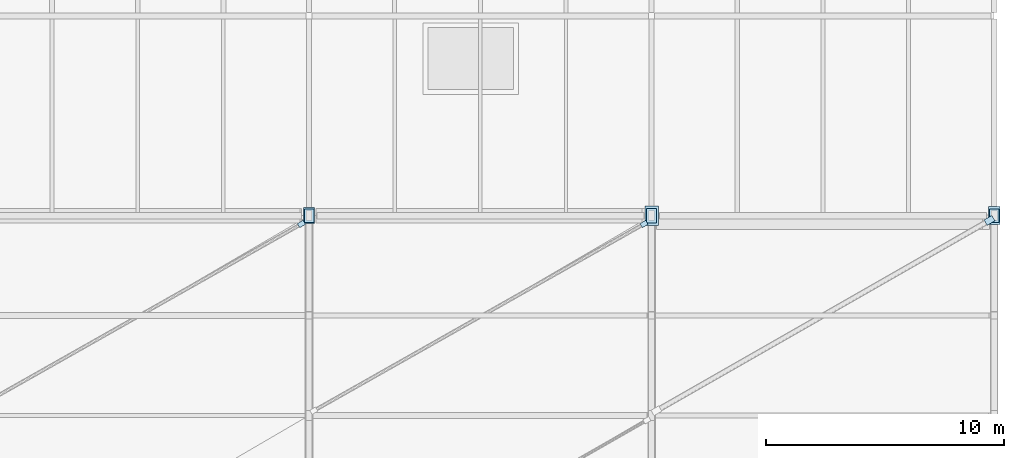
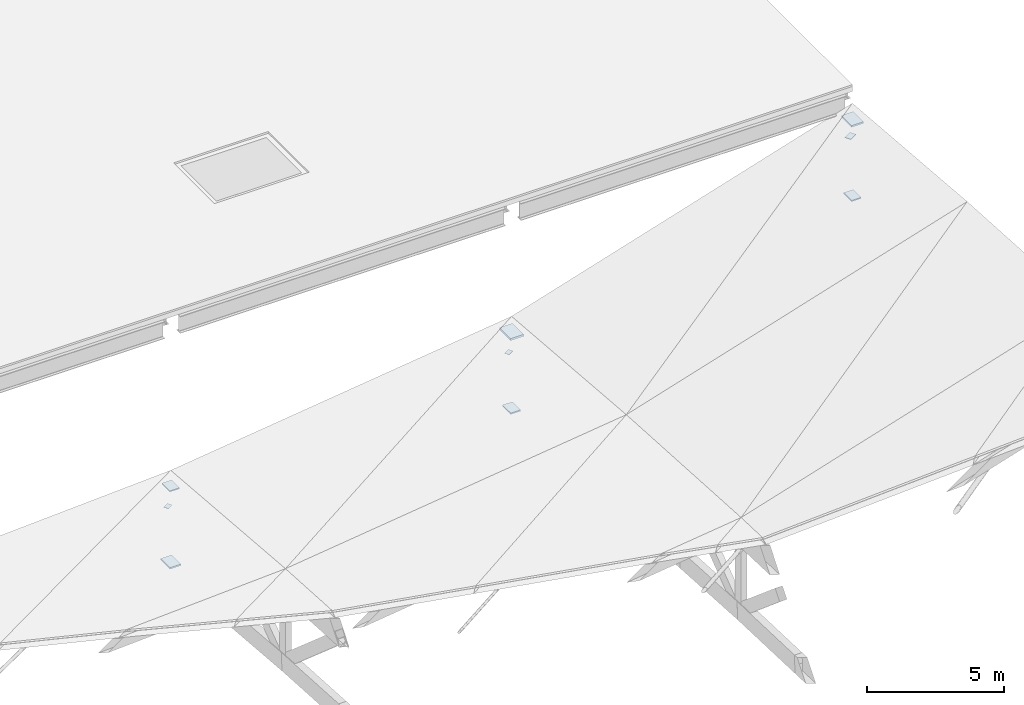
# One storey, part 19 of 22: 9 plates.
"""IFC4 building model written with IfcOpenShell, lengths in metres."""

from ifc_helpers import new_model, si_unit, direction, frame, origin, origin_2d, place, context, subcontext, project, spatial, rectangle, extrude, material, layer, layer_set, type_object, element, save


model = new_model("IFC4")

# Units and contexts
model_context = context("Model", 3, precision=1e-05, world=origin(), true_north=direction((0.0, 1.0)))
body_context = subcontext(model_context, "Body", "Model", "MODEL_VIEW")
ifc_project = project(units=[si_unit("LENGTHUNIT", "METRE"), si_unit("AREAUNIT", "SQUARE_METRE"), si_unit("VOLUMEUNIT", "CUBIC_METRE"), si_unit("PLANEANGLEUNIT", "RADIAN"), si_unit("MASSUNIT", "GRAM", prefix="KILO"), si_unit("THERMODYNAMICTEMPERATUREUNIT", "KELVIN")], contexts=[model_context])

# Site, building, storey
site_placement = place(None, origin())
site = spatial("IfcSite", under=ifc_project, at=site_placement, CompositionType="ELEMENT")
building_placement = place(site_placement, origin())
building = spatial("IfcBuilding", under=site, at=building_placement, Name="Nduvali Passage Aquatics Centre", CompositionType="ELEMENT")
storey_placement = place(building_placement, frame((0.0, 0.0, 21.60009765625)))
storey = spatial("IfcBuildingStorey", under=building, at=storey_placement, Name="RF", CompositionType="ELEMENT", Elevation=21.60009765625)

# Plates
ifc_material = material(Name="Steel S355", Category="steel")
ifc_layer_1 = layer(ifc_material, 0.010009765625, Name="Steel S355")
ifc_layer_set_1 = layer_set([ifc_layer_1], Name="Steel S355")
plate_type_1 = type_object("IfcPlateType", Name="STR-PLT-CAP2", PredefinedType="SHEET", material=ifc_layer_set_1)
for number, where, z_axis, x_axis, name in (
    (1, (96.8798828125, 92.050048828125, -8.34130859375), (0.0, 0.0, 1.0), (0.866025403784, 0.5, 0.0), "Roof Brace End-Cap Gusset Plate 0120"),
    (2, (111.280029296875, 92.050048828125, -6.505859375), (0.0, 0.0, 1.0), (0.866025403784, 0.5, 0.0), "Roof Brace End-Cap Gusset Plate 0136"),
):
    element("IfcPlate", number, at=place(storey_placement, frame(where, z_axis=z_axis, x_axis=x_axis)), inside=storey, type_object=plate_type_1, Name=name, PredefinedType="SHEET", context=body_context, shape_type="SweptSolid", body=[
        extrude(rectangle(XDim=0.280029296875, YDim=0.199951171875, at=origin_2d()), origin(), (0.0, 0.0, 1.0), 0.010009765625),
    ])
ifc_layer_2 = layer(ifc_material, 0.02490234375, Name="Steel S355")
ifc_layer_set_2 = layer_set([ifc_layer_2], Name="Steel S355")
plate_type_2 = type_object("IfcPlateType", Name="STR-PLT-CAP3", PredefinedType="SHEET", material=ifc_layer_set_2)
plate_1_placement = place(storey_placement, frame((125.800048828125, 92.199951171875, -2.03466796875), z_axis=(0.0, 0.0, 1.0), x_axis=(0.866025403784, 0.5, 0.0)))
element("IfcPlate", 3, at=plate_1_placement, inside=storey, type_object=plate_type_2, Name="Roof Brace End-Cap Gusset Plate 0152", PredefinedType="SHEET", context=body_context, shape_type="SweptSolid", body=[
    extrude(rectangle(XDim=0.3798828125, YDim=0.260009765625, at=origin_2d()), origin(), (0.0, 0.0, 1.0), 0.02490234375),
])
ifc_layer_3 = layer(ifc_material, 0.080078125, Name="Steel S355")
ifc_layer_set_3 = layer_set([ifc_layer_3], Name="Steel S355")
plate_type_3 = type_object("IfcPlateType", Name="STR-PLT-GN1", PredefinedType="SHEET", material=ifc_layer_set_3)
plate_2_placement = place(storey_placement, frame((126.0, 92.39990234375, -1.51416015625), z_axis=(0.0, 0.0, 1.0), x_axis=(0.0, 1.0, 0.0)))
element("IfcPlate", 4, at=plate_2_placement, inside=storey, type_object=plate_type_3, Name="Glulam Arch Pinned Steel Shoe Node GN1 Rib 8", PredefinedType="SHEET", context=body_context, shape_type="SweptSolid", body=[
    extrude(rectangle(XDim=0.75, YDim=0.5, at=origin_2d()), origin(), (0.0, 0.0, 1.0), 0.080078125),
])
ifc_layer_4 = layer(ifc_material, 0.070068359375, Name="Steel S355")
ifc_layer_set_4 = layer_set([ifc_layer_4], Name="Steel S355")
plate_type_4 = type_object("IfcPlateType", Name="STR-PLT-GN2", PredefinedType="SHEET", material=ifc_layer_set_4)
plate_3_placement = place(storey_placement, frame((97.199951171875, 92.39990234375, -11.193359375), z_axis=(0.0, 0.0, 1.0), x_axis=(0.0, 1.0, 0.0)))
element("IfcPlate", 5, at=plate_3_placement, inside=storey, type_object=plate_type_4, Name="Glulam Arch Pinned Steel Shoe Node GN2 Rib 6", PredefinedType="SHEET", context=body_context, shape_type="SweptSolid", body=[
    extrude(rectangle(XDim=0.679931640625, YDim=0.4599609375, at=origin_2d()), origin(), (0.0, 0.0, 1.0), 0.070068359375),
])
ifc_layer_5 = layer(ifc_material, 0.06005859375, Name="Steel S355")
ifc_layer_set_5 = layer_set([ifc_layer_5], Name="Steel S355")
plate_type_5 = type_object("IfcPlateType", Name="STR-PLT-GN3", PredefinedType="SHEET", material=ifc_layer_set_5)
plate_4_placement = place(storey_placement, frame((111.60009765625, 92.39990234375, -9.352783203125), z_axis=(0.0, 0.0, 1.0), x_axis=(0.0, 1.0, 0.0)))
element("IfcPlate", 6, at=plate_4_placement, inside=storey, type_object=plate_type_5, Name="Glulam Arch Pinned Steel Shoe Node GN3 Rib 7", PredefinedType="SHEET", context=body_context, shape_type="SweptSolid", body=[
    extrude(rectangle(XDim=0.60009765625, YDim=0.419921875, at=origin_2d()), origin(), (0.0, 0.0, 1.0), 0.06005859375),
])
ifc_layer_6 = layer(ifc_material, 0.090087890625, Name="Steel S355")
ifc_layer_set_6 = layer_set([ifc_layer_6], Name="Steel S355")
plate_type_6 = type_object("IfcPlateType", Name="STR-PLT-GN7", PredefinedType="SHEET", material=ifc_layer_set_6)
plate_5_placement = place(storey_placement, frame((111.60009765625, 92.39990234375, -5.9677734375), z_axis=(0.0, 0.0, 1.0), x_axis=(0.0, 1.0, 0.0)))
element("IfcPlate", 7, at=plate_5_placement, inside=storey, type_object=plate_type_6, Name="Glulam Arch Pinned Steel Shoe Node GN7 Rib 7", PredefinedType="SHEET", context=body_context, shape_type="SweptSolid", body=[
    extrude(rectangle(XDim=0.820068359375, YDim=0.56005859375, at=origin_2d()), origin(), (0.0, 0.0, 1.0), 0.090087890625),
])
ifc_layer_7 = layer(ifc_material, 0.050048828125, Name="Steel S355")
ifc_layer_set_7 = layer_set([ifc_layer_7], Name="Steel S355")
plate_type_7 = type_object("IfcPlateType", Name="STR-PLT-GN8", PredefinedType="SHEET", material=ifc_layer_set_7)
for number, where, z_axis, x_axis, name in (
    (8, (97.199951171875, 92.39990234375, -7.78369140625), (0.0, 0.0, 1.0), (0.0, 1.0, 0.0), "Glulam Arch Pinned Steel Shoe Node GN8 Rib 6"),
    (9, (126.0, 92.39990234375, -4.89892578125), (0.0, 0.0, 1.0), (0.0, 1.0, 0.0), "Glulam Arch Pinned Steel Shoe Node GN8 Rib 8"),
):
    element("IfcPlate", number, at=place(storey_placement, frame(where, z_axis=z_axis, x_axis=x_axis)), inside=storey, type_object=plate_type_7, Name=name, PredefinedType="SHEET", context=body_context, shape_type="SweptSolid", body=[
        extrude(rectangle(XDim=0.580078125, YDim=0.39990234375, at=origin_2d()), origin(), (0.0, 0.0, 1.0), 0.050048828125),
    ])

save(model, "model.ifc")
